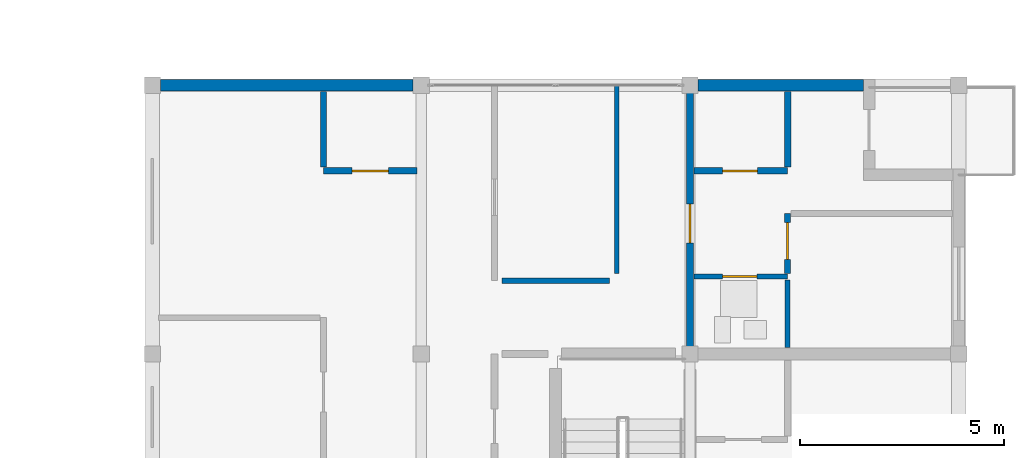
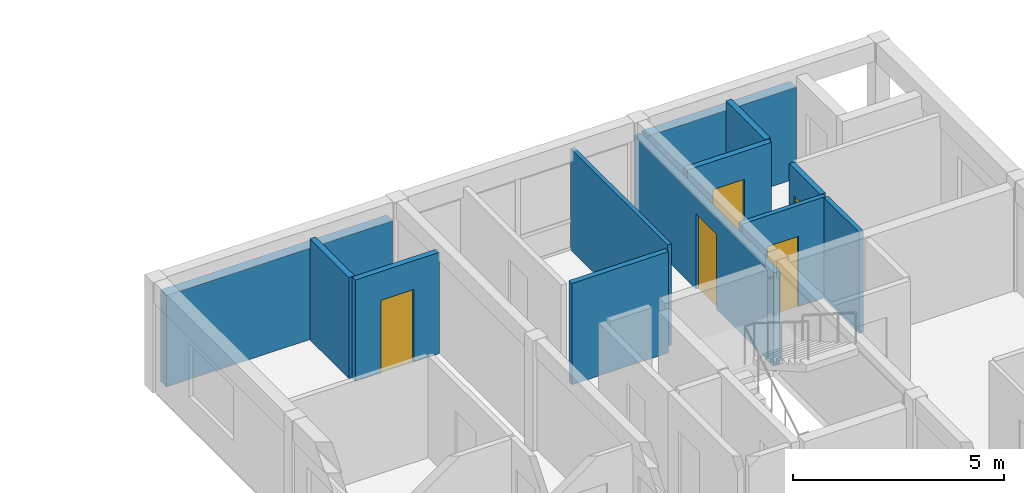
# One storey, part 19 of 34: 12 walls, 5 doors, 5 openings.
"""IFC4 building model written with IfcOpenShell, lengths in metres."""

from ifc_helpers import new_model, si_unit, direction, frame, frame_2d, origin, place, context, subcontext, project, spatial, rectangle, extrude, material, layer, layer_set, type_object, element, fill, save


model = new_model("IFC4")

# Units and contexts
model_context = context("Model", 3, precision=1e-05, world=origin(), true_north=direction((0.0, 1.0)))
body_context = subcontext(model_context, "Body", "Model", "MODEL_VIEW")
ifc_project = project(units=[si_unit("LENGTHUNIT", "METRE"), si_unit("AREAUNIT", "SQUARE_METRE"), si_unit("VOLUMEUNIT", "CUBIC_METRE"), si_unit("PLANEANGLEUNIT", "RADIAN"), si_unit("MASSUNIT", "GRAM", prefix="KILO")], contexts=[model_context])

# Site, building, storey
site_placement = place(None, origin())
site = spatial("IfcSite", under=ifc_project, at=site_placement, CompositionType="ELEMENT")
building_placement = place(site_placement, origin())
building = spatial("IfcBuilding", under=site, at=building_placement, Name="Kernevlak Ridge Housing Community", CompositionType="ELEMENT")
storey_placement = place(building_placement, frame((0.0, 0.0, 34.0)))
storey = spatial("IfcBuildingStorey", under=building, at=storey_placement, Name="L10", CompositionType="ELEMENT", Elevation=34.0)

# Walls
ifc_material_1 = material(Name="Concrete block masonry M10", Category="masonry")
ifc_layer_1 = layer(ifc_material_1, 0.280029296875, Name="Concrete block masonry M10")
ifc_layer_set_1 = layer_set([ifc_layer_1], Name="Concrete block masonry M10")
wall_type_1 = type_object("IfcWallType", Name="EW-03", PredefinedType="STANDARD", material=ifc_layer_set_1)
wall_1_placement = place(storey_placement, frame((126.199951171875, 42.0, 0.0), z_axis=(0.0, 0.0, 1.0), x_axis=(1.0, 0.0, 0.0)))
element("IfcWall", 1, at=wall_1_placement, inside=storey, type_object=wall_type_1, Name="Exterior wall EW-03 L10 682", PredefinedType="STANDARD", context=body_context, shape_type="SweptSolid", body=[
    extrude(rectangle(XDim=6.199951171875, YDim=0.280029296875, at=frame_2d((3.10009765625, 0.0))), origin(), (0.0, 0.0, 1.0), 2.64990234375),
])
wall_2_placement = place(storey_placement, frame((139.39990234375, 42.0, 0.0), z_axis=(0.0, 0.0, 1.0), x_axis=(1.0, 0.0, 0.0)))
element("IfcWall", 2, at=wall_2_placement, inside=storey, type_object=wall_type_1, Name="Exterior wall EW-03 L10 683", PredefinedType="STANDARD", context=body_context, shape_type="SweptSolid", body=[
    extrude(rectangle(XDim=4.06005859375, YDim=0.280029296875, at=frame_2d((2.030029296875, 0.0))), origin(), (0.0, 0.0, 1.0), 2.64990234375),
])

# Wall, opening, door
ifc_layer_2 = layer(ifc_material_1, 0.175048828125, Name="Concrete block masonry M10")
ifc_layer_set_2 = layer_set([ifc_layer_2], Name="Concrete block masonry M10")
wall_type_2 = type_object("IfcWallType", Name="PW-02", PredefinedType="PARTITIONING", material=ifc_layer_set_2)
wall_3_placement = place(storey_placement, frame((139.199951171875, 35.39990234375, 0.0), z_axis=(0.0, 0.0, 1.0), x_axis=(0.0, 1.0, 0.0)))
wall_3 = element("IfcWall", 3, at=wall_3_placement, inside=storey, type_object=wall_type_2, Name="Interior wall PW-02 WAL-INT-L10-2783", PredefinedType="PARTITIONING", context=body_context, shape_type="SweptSolid", body=[
    extrude(rectangle(XDim=6.60009765625, YDim=0.175048828125, at=frame_2d((3.300048828125, 0.0))), origin(), (0.0, 0.0, 1.0), 2.699951171875),
])
opening_1_placement = place(wall_3_placement, frame((2.72509765625, 0.0, 0.0)))
opening_1 = element("IfcOpeningElement", 4, at=opening_1_placement, cuts=wall_3, Name="Opening E411", PredefinedType="OPENING", context=body_context, shape_type="SweptSolid", body=[
    extrude(rectangle(XDim=0.9599609375, YDim=2.179931640625, at=frame_2d((0.47998046875, 1.08984375))), frame((0.0, 0.097412109375, 0.0), z_axis=(0.0, -1.0, 0.0), x_axis=(1.0, 0.0, 0.0)), (0.0, 0.0, 1.0), 0.195068359375),
])
ifc_material_2 = material(Name="Hardwood timber solid-core fire leaf", Category="wood")
door_type_1 = type_object("IfcDoorType", Name="DT-29", OperationType="NOTDEFINED", PredefinedType="DOOR", material=ifc_material_2)
door_1_placement = place(opening_1_placement, origin())
door_1 = element("IfcDoor", 5, at=door_1_placement, inside=storey, type_object=door_type_1, Name="Flat C1023 entrance fire door E411", OperationType="SINGLE_SWING_RIGHT", OverallHeight=2.179931640625, OverallWidth=0.9599609375, PredefinedType="DOOR", context=body_context, shape_type="SweptSolid", body=[
    extrude(rectangle(XDim=0.9599609375, YDim=2.179931640625, at=frame_2d((0.47998046875, 1.08984375))), frame((0.0, 0.02490234375, 0.0), z_axis=(0.0, -1.0, 0.0), x_axis=(1.0, 0.0, 0.0)), (0.0, 0.0, 1.0), 0.050048828125),
])
fill(opening_1, door_1)

# Wall
ifc_layer_3 = layer(ifc_material_1, 0.14501953125, Name="Concrete block masonry M10")
ifc_layer_set_3 = layer_set([ifc_layer_3], Name="Concrete block masonry M10")
wall_type_3 = type_object("IfcWallType", Name="PW-03", PredefinedType="PARTITIONING", material=ifc_layer_set_3)
wall_4_placement = place(storey_placement, frame((134.580078125, 37.199951171875, 0.0), z_axis=(0.0, 0.0, 1.0), x_axis=(1.0, 0.0, 0.0)))
element("IfcWall", 6, at=wall_4_placement, inside=storey, type_object=wall_type_3, Name="Interior wall PW-03 WAL-INT-L10-2747", PredefinedType="PARTITIONING", context=body_context, shape_type="SweptSolid", body=[
    extrude(rectangle(XDim=2.639892578125, YDim=0.14501953125, at=frame_2d((1.31982421875, 0.0))), origin(), (0.0, 0.0, 1.0), 2.93505859375),
])

# Wall, opening, door
wall_5_placement = place(storey_placement, frame((141.60009765625, 37.37255859375, 0.0), z_axis=(0.0, 0.0, 1.0), x_axis=(0.0, 1.0, 0.0)))
wall_5 = element("IfcWall", 7, at=wall_5_placement, inside=storey, type_object=wall_type_3, Name="Interior wall PW-03 WAL-INT-L10-2788", PredefinedType="PARTITIONING", context=body_context, shape_type="SweptSolid", body=[
    extrude(rectangle(XDim=1.4775390625, YDim=0.14501953125, at=frame_2d((0.73876953125, 0.0))), origin(), (0.0, 0.0, 1.0), 2.93505859375),
])
opening_2_placement = place(wall_5_placement, frame((0.35009765625, 0.0, 0.0)))
opening_2 = element("IfcOpeningElement", 8, at=opening_2_placement, cuts=wall_5, Name="Opening E414", PredefinedType="OPENING", context=body_context, shape_type="SweptSolid", body=[
    extrude(rectangle(XDim=0.909912109375, YDim=2.139892578125, at=frame_2d((0.455078125, 1.06982421875))), frame((0.0, 0.08251953125, 0.0), z_axis=(0.0, -1.0, 0.0), x_axis=(1.0, 0.0, 0.0)), (0.0, 0.0, 1.0), 0.1650390625),
])
ifc_material_3 = material(Name="Hardwood timber leaf", Category="wood")
door_type_2 = type_object("IfcDoorType", Name="DT-31", OperationType="NOTDEFINED", PredefinedType="DOOR", material=ifc_material_3)
door_2_placement = place(opening_2_placement, origin())
door_2 = element("IfcDoor", 9, at=door_2_placement, inside=storey, type_object=door_type_2, Name="Flat C1023 bedroom door E414", OperationType="SINGLE_SWING_LEFT", OverallHeight=2.139892578125, OverallWidth=0.909912109375, PredefinedType="DOOR", context=body_context, shape_type="SweptSolid", body=[
    extrude(rectangle(XDim=0.909912109375, YDim=2.139892578125, at=frame_2d((0.455078125, 1.06982421875))), frame((0.0, 0.02490234375, 0.0), z_axis=(0.0, -1.0, 0.0), x_axis=(1.0, 0.0, 0.0)), (0.0, 0.0, 1.0), 0.050048828125),
])
fill(opening_2, door_2)

ifc_material_4 = material(Name="Gypsum plasterboard EN 520", Category="gypsum")
ifc_layer_4 = layer(ifc_material_4, 0.125, Name="Gypsum plasterboard EN 520")
ifc_layer_set_4 = layer_set([ifc_layer_4], Name="Gypsum plasterboard EN 520")
wall_type_4 = type_object("IfcWallType", Name="PW-04", PredefinedType="PARTITIONING", material=ifc_layer_set_4)
wall_6_placement = place(storey_placement, frame((139.297607421875, 37.300048828125, 0.0), z_axis=(0.0, 0.0, 1.0), x_axis=(1.0, 0.0, 0.0)))
wall_6 = element("IfcWall", 10, at=wall_6_placement, inside=storey, type_object=wall_type_4, Name="Interior wall PW-04 WAL-INT-L10-2784", PredefinedType="PARTITIONING", context=body_context, shape_type="SweptSolid", body=[
    extrude(rectangle(XDim=2.302490234375, YDim=0.125, at=frame_2d((1.1513671875, 0.0))), origin(), (0.0, 0.0, 1.0), 2.93505859375),
])
opening_3_placement = place(wall_6_placement, frame((0.699951171875, 0.0, 0.0)))
opening_3 = element("IfcOpeningElement", 11, at=opening_3_placement, cuts=wall_6, Name="Opening E412", PredefinedType="OPENING", context=body_context, shape_type="SweptSolid", body=[
    extrude(rectangle(XDim=0.85009765625, YDim=2.0400390625, at=frame_2d((0.425048828125, 1.02001953125))), frame((0.0, 0.072509765625, 0.0), z_axis=(0.0, -1.0, 0.0), x_axis=(1.0, 0.0, 0.0)), (0.0, 0.0, 1.0), 0.14501953125),
])
ifc_material_5 = material(Name="Hardwood timber moisture-resistant leaf", Category="wood")
door_type_3 = type_object("IfcDoorType", Name="DT-04", OperationType="NOTDEFINED", PredefinedType="DOOR", material=ifc_material_5)
door_3_placement = place(opening_3_placement, origin())
door_3 = element("IfcDoor", 12, at=door_3_placement, inside=storey, type_object=door_type_3, Name="Flat C1023 bathroom door E412", OperationType="SINGLE_SWING_LEFT", OverallHeight=2.0400390625, OverallWidth=0.85009765625, PredefinedType="DOOR", context=body_context, shape_type="SweptSolid", body=[
    extrude(rectangle(XDim=0.85009765625, YDim=2.0400390625, at=frame_2d((0.425048828125, 1.02001953125))), frame((0.0, 0.02490234375, 0.0), z_axis=(0.0, -1.0, 0.0), x_axis=(1.0, 0.0, 0.0)), (0.0, 0.0, 1.0), 0.050048828125),
])
fill(opening_3, door_3)

# Wall
wall_7_placement = place(storey_placement, frame((141.60009765625, 35.56005859375, 0.0), z_axis=(0.0, 0.0, 1.0), x_axis=(0.0, 1.0, 0.0)))
element("IfcWall", 13, at=wall_7_placement, inside=storey, type_object=wall_type_4, Name="Interior wall PW-04 WAL-INT-L10-2785", PredefinedType="PARTITIONING", context=body_context, shape_type="SweptSolid", body=[
    extrude(rectangle(XDim=1.659912109375, YDim=0.125, at=frame_2d((0.830078125, 0.0))), origin(), (0.0, 0.0, 1.0), 2.93505859375),
])

# Wall, opening, door
ifc_layer_5 = layer(ifc_material_4, 0.155029296875, Name="Gypsum plasterboard EN 520")
ifc_layer_set_5 = layer_set([ifc_layer_5], Name="Gypsum plasterboard EN 520")
wall_type_5 = type_object("IfcWallType", Name="PW-05", PredefinedType="PARTITIONING", material=ifc_layer_set_5)
wall_8_placement = place(storey_placement, frame((132.50244140625, 39.89990234375, 0.0), z_axis=(0.0, 0.0, 1.0), x_axis=(-1.0, 0.0, 0.0)))
wall_8 = element("IfcWall", 14, at=wall_8_placement, inside=storey, type_object=wall_type_5, Name="Interior wall PW-05 WAL-INT-L10-2760", PredefinedType="PARTITIONING", context=body_context, shape_type="SweptSolid", body=[
    extrude(rectangle(XDim=2.302490234375, YDim=0.155029296875, at=frame_2d((1.1513671875, 0.0))), origin(), (0.0, 0.0, 1.0), 2.93505859375),
])
opening_4_placement = place(wall_8_placement, frame((0.699951171875, 0.0, 0.0)))
opening_4 = element("IfcOpeningElement", 15, at=opening_4_placement, cuts=wall_8, Name="Opening E399", PredefinedType="OPENING", context=body_context, shape_type="SweptSolid", body=[
    extrude(rectangle(XDim=0.89990234375, YDim=2.10009765625, at=frame_2d((0.449951171875, 1.050048828125))), frame((0.0, 0.08740234375, 0.0), z_axis=(0.0, -1.0, 0.0), x_axis=(1.0, 0.0, 0.0)), (0.0, 0.0, 1.0), 0.175048828125),
])
door_type_4 = type_object("IfcDoorType", Name="DT-21", OperationType="NOTDEFINED", PredefinedType="DOOR", material=ifc_material_3)
door_4_placement = place(opening_4_placement, origin())
door_4 = element("IfcDoor", 16, at=door_4_placement, inside=storey, type_object=door_type_4, Name="Flat C1012 kitchen door E399", OperationType="SINGLE_SWING_RIGHT", OverallHeight=2.10009765625, OverallWidth=0.89990234375, PredefinedType="DOOR", context=body_context, shape_type="SweptSolid", body=[
    extrude(rectangle(XDim=0.89990234375, YDim=2.10009765625, at=frame_2d((0.449951171875, 1.050048828125))), frame((0.0, 0.02490234375, 0.0), z_axis=(0.0, -1.0, 0.0), x_axis=(1.0, 0.0, 0.0)), (0.0, 0.0, 1.0), 0.050048828125),
])
fill(opening_4, door_4)

# Wall
wall_9_placement = place(storey_placement, frame((130.199951171875, 39.987548828125, 0.0), z_axis=(0.0, 0.0, 1.0), x_axis=(0.0, 1.0, 0.0)))
element("IfcWall", 17, at=wall_9_placement, inside=storey, type_object=wall_type_5, Name="Interior wall PW-05 WAL-INT-L10-2761", PredefinedType="PARTITIONING", context=body_context, shape_type="SweptSolid", body=[
    extrude(rectangle(XDim=1.862548828125, YDim=0.155029296875, at=frame_2d((0.93115234375, 0.0))), origin(), (0.0, 0.0, 1.0), 2.93505859375),
])

# Wall, opening, door
wall_10_placement = place(storey_placement, frame((139.297607421875, 39.89990234375, 0.0), z_axis=(0.0, 0.0, 1.0), x_axis=(1.0, 0.0, 0.0)))
wall_10 = element("IfcWall", 18, at=wall_10_placement, inside=storey, type_object=wall_type_5, Name="Interior wall PW-05 WAL-INT-L10-2786", PredefinedType="PARTITIONING", context=body_context, shape_type="SweptSolid", body=[
    extrude(rectangle(XDim=2.302490234375, YDim=0.155029296875, at=frame_2d((1.1513671875, 0.0))), origin(), (0.0, 0.0, 1.0), 2.93505859375),
])
opening_5_placement = place(wall_10_placement, frame((0.699951171875, 0.0, 0.0)))
opening_5 = element("IfcOpeningElement", 19, at=opening_5_placement, cuts=wall_10, Name="Opening E413", PredefinedType="OPENING", context=body_context, shape_type="SweptSolid", body=[
    extrude(rectangle(XDim=0.860107421875, YDim=2.1201171875, at=frame_2d((0.43017578125, 1.06005859375))), frame((0.0, 0.08740234375, 0.0), z_axis=(0.0, -1.0, 0.0), x_axis=(1.0, 0.0, 0.0)), (0.0, 0.0, 1.0), 0.175048828125),
])
door_type_5 = type_object("IfcDoorType", Name="DT-28", OperationType="NOTDEFINED", PredefinedType="DOOR", material=ifc_material_3)
door_5_placement = place(opening_5_placement, origin())
door_5 = element("IfcDoor", 20, at=door_5_placement, inside=storey, type_object=door_type_5, Name="Flat C1023 kitchen door E413", OperationType="SINGLE_SWING_RIGHT", OverallHeight=2.1201171875, OverallWidth=0.860107421875, PredefinedType="DOOR", context=body_context, shape_type="SweptSolid", body=[
    extrude(rectangle(XDim=0.860107421875, YDim=2.1201171875, at=frame_2d((0.43017578125, 1.06005859375))), frame((0.0, 0.02490234375, 0.0), z_axis=(0.0, -1.0, 0.0), x_axis=(1.0, 0.0, 0.0)), (0.0, 0.0, 1.0), 0.050048828125),
])
fill(opening_5, door_5)

# Walls
wall_11_placement = place(storey_placement, frame((141.60009765625, 39.987548828125, 0.0), z_axis=(0.0, 0.0, 1.0), x_axis=(0.0, 1.0, 0.0)))
element("IfcWall", 21, at=wall_11_placement, inside=storey, type_object=wall_type_5, Name="Interior wall PW-05 WAL-INT-L10-2787", PredefinedType="PARTITIONING", context=body_context, shape_type="SweptSolid", body=[
    extrude(rectangle(XDim=1.862548828125, YDim=0.155029296875, at=frame_2d((0.93115234375, 0.0))), origin(), (0.0, 0.0, 1.0), 2.93505859375),
])
ifc_layer_6 = layer(ifc_material_4, 0.10498046875, Name="Gypsum plasterboard EN 520")
ifc_layer_set_6 = layer_set([ifc_layer_6], Name="Gypsum plasterboard EN 520")
wall_type_6 = type_object("IfcWallType", Name="PW-06", PredefinedType="PARTITIONING", material=ifc_layer_set_6)
wall_12_placement = place(storey_placement, frame((137.39990234375, 37.3798828125, 0.0), z_axis=(0.0, 0.0, 1.0), x_axis=(0.0, 1.0, 0.0)))
element("IfcWall", 22, at=wall_12_placement, inside=storey, type_object=wall_type_6, Name="Interior wall PW-06 WAL-INT-L10-2746", PredefinedType="PARTITIONING", context=body_context, shape_type="SweptSolid", body=[
    extrude(rectangle(XDim=4.60009765625, YDim=0.10498046875, at=frame_2d((2.300048828125, 0.0))), origin(), (0.0, 0.0, 1.0), 2.93505859375),
])

save(model, "model.ifc")
